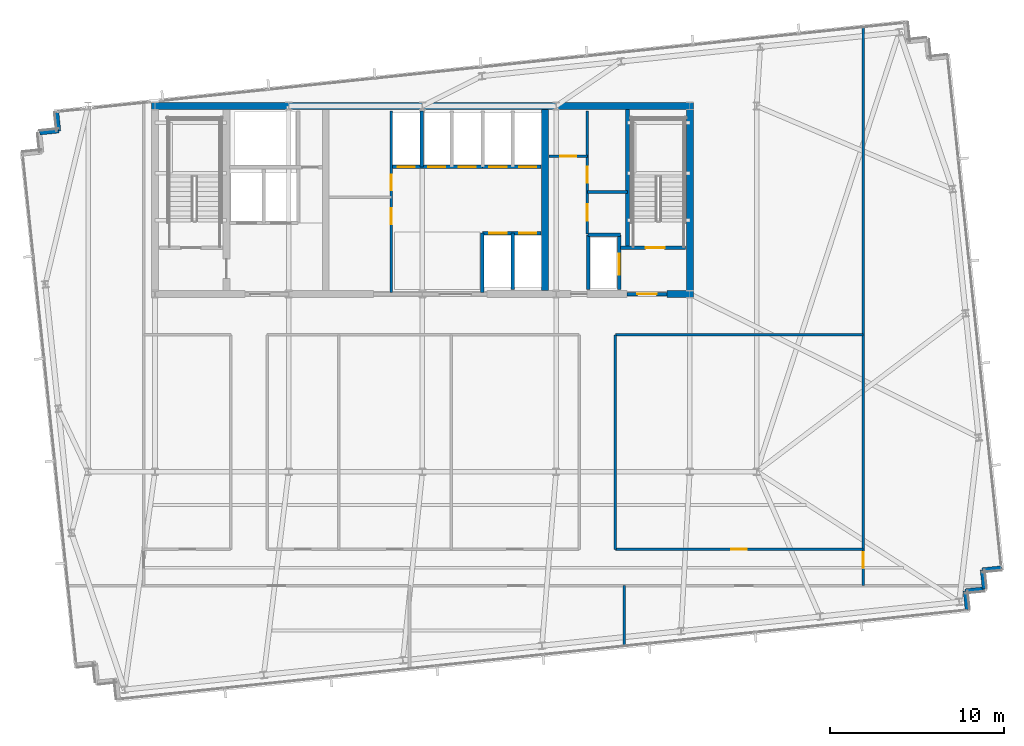
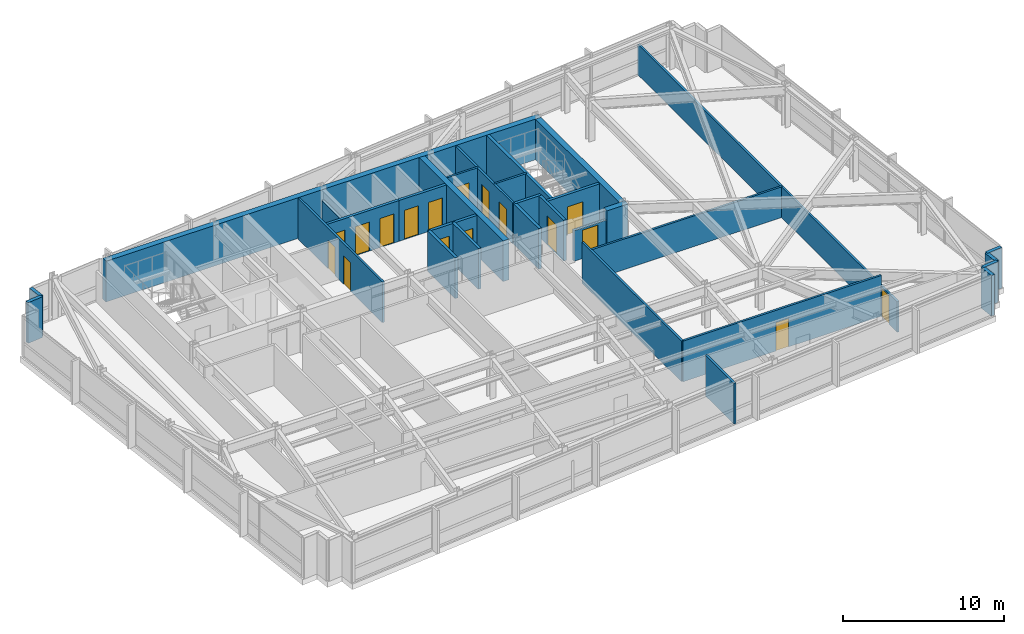
# One storey, part 21 of 26: 31 walls, 17 doors, 17 openings.
"""IFC4 building model written with IfcOpenShell, lengths in metres."""

from ifc_helpers import new_model, si_unit, direction, frame, frame_2d, origin, place, context, subcontext, project, spatial, rectangle, extrude, material, layer, layer_set, type_object, element, fill, save


model = new_model("IFC4")

# Units and contexts
model_context = context("Model", 3, precision=1e-05, world=origin(), true_north=direction((0.0, 1.0)))
body_context = subcontext(model_context, "Body", "Model", "MODEL_VIEW")
ifc_project = project(units=[si_unit("LENGTHUNIT", "METRE"), si_unit("AREAUNIT", "SQUARE_METRE"), si_unit("VOLUMEUNIT", "CUBIC_METRE"), si_unit("PLANEANGLEUNIT", "RADIAN"), si_unit("MASSUNIT", "GRAM", prefix="KILO")], contexts=[model_context])

# Site, building, storey
site_placement = place(None, origin())
site = spatial("IfcSite", under=ifc_project, at=site_placement, CompositionType="ELEMENT")
building_placement = place(site_placement, origin())
building = spatial("IfcBuilding", under=site, at=building_placement, Name="Yelkora Congress Tower", CompositionType="ELEMENT")
storey_placement = place(building_placement, frame((0.0, 0.0, 204.5)))
storey = spatial("IfcBuildingStorey", under=building, at=storey_placement, Name="L56", CompositionType="ELEMENT", Elevation=204.5)

# Walls
ifc_material_1 = material(Name="Concrete C50/60", Category="concrete")
ifc_layer_1 = layer(ifc_material_1, 0.219970703125)
ifc_layer_set_1 = layer_set([ifc_layer_1], Name="Concrete C50/60")
wall_type_1 = type_object("IfcWallType", Name="WALL-CORE-INT-220", PredefinedType="SHEAR", material=ifc_layer_set_1)
wall_1_placement = place(storey_placement, frame((50.179931640625, 38.050048828125, 0.0), z_axis=(0.0, 0.0, 1.0), x_axis=(0.0, 1.0, 0.0)))
element("IfcWall", 1, at=wall_1_placement, inside=storey, type_object=wall_type_1, Name="L56 ST02 West Stair Shear Wall", PredefinedType="SHEAR", context=body_context, shape_type="SweptSolid", body=[
    extrude(rectangle(XDim=7.949951171875, YDim=0.219970703125, at=frame_2d((3.97509765625, 0.0))), origin(), (0.0, 0.0, 1.0), 3.080078125),
])
ifc_layer_2 = layer(ifc_material_1, 0.39990234375)
ifc_layer_set_2 = layer_set([ifc_layer_2], Name="Concrete C50/60")
wall_type_2 = type_object("IfcWallType", Name="WALL-CORE-INT-400", PredefinedType="SHEAR", material=ifc_layer_set_2)
wall_2_placement = place(storey_placement, frame((22.840087890625, 46.199951171875, 0.0), z_axis=(0.0, 0.0, 1.0), x_axis=(1.0, 0.0, 0.0)))
element("IfcWall", 2, at=wall_2_placement, inside=storey, type_object=wall_type_2, Name="L56 Rear Core North Shear Wall", PredefinedType="SHEAR", context=body_context, shape_type="SweptSolid", body=[
    extrude(rectangle(XDim=31.119873046875, YDim=0.39990234375, at=frame_2d((15.56005859375, 0.0))), origin(), (0.0, 0.0, 1.0), 3.080078125),
])
wall_3_placement = place(storey_placement, frame((52.449951171875, 35.39990234375, 0.0), z_axis=(0.0, 0.0, 1.0), x_axis=(1.0, 0.0, 0.0)))
element("IfcWall", 3, at=wall_3_placement, inside=storey, type_object=wall_type_2, Name="L56 Rear Core South-East Shear Wall B", PredefinedType="SHEAR", context=body_context, shape_type="SweptSolid", body=[
    extrude(rectangle(XDim=1.510009765625, YDim=0.39990234375, at=frame_2d((0.7548828125, 0.0))), origin(), (0.0, 0.0, 1.0), 3.080078125),
])
for number, where, z_axis, x_axis, name in (
    (4, (45.449951171875, 35.60009765625, 0.0), (0.0, 0.0, 1.0), (0.0, 1.0, 0.0), "L56 Rear Core Cross Shear Wall C3"),
    (5, (53.760009765625, 35.60009765625, 0.0), (0.0, 0.0, 1.0), (0.0, 1.0, 0.0), "L56 Rear Core Cross Shear Wall E"),
):
    element("IfcWall", number, at=place(storey_placement, frame(where, z_axis=z_axis, x_axis=x_axis)), inside=storey, type_object=wall_type_2, Name=name, PredefinedType="SHEAR", context=body_context, shape_type="SweptSolid", body=[
        extrude(rectangle(XDim=10.39990234375, YDim=0.39990234375, at=frame_2d((5.199951171875, 0.0))), origin(), (0.0, 0.0, 1.0), 3.080078125),
    ])
ifc_material_2 = material(Name="Concrete C40/50", Category="concrete")
ifc_layer_3 = layer(ifc_material_2, 0.239990234375)
ifc_layer_set_3 = layer_set([ifc_layer_3], Name="Concrete C40/50")
wall_type_3 = type_object("IfcWallType", Name="WALL-EXT-LIMESTONE-240", PredefinedType="SOLIDWALL", material=ifc_layer_set_3)
wall_4_placement = place(storey_placement, frame((16.420166015625, 44.65380859375, 0.0), z_axis=(0.0, 0.0, 1.0), x_axis=(0.994541884982, 0.104338099541, 0.0)))
element("IfcWall", 6, at=wall_4_placement, inside=storey, type_object=wall_type_3, Name="L56 Serrated Corner Limestone Pier 8", PredefinedType="SOLIDWALL", context=body_context, shape_type="SweptSolid", body=[
    extrude(rectangle(XDim=1.099853515625, YDim=0.239990234375, at=frame_2d((0.5498046875, 0.0))), origin(), (0.0, 0.0, 1.0), 3.080078125),
])
for number, where, z_axis, x_axis, name in (
    (7, (17.513916015625, 44.7685546875, 0.0), (0.0, 0.0, 1.0), (-0.104534592565, 0.994521251134, 0.0), "L56 Serrated Corner Limestone Pier 9"),
    (8, (71.654052734375, 19.67041015625, 0.0), (0.0, 0.0, 1.0), (-0.994521251134, -0.104534592565, 0.0), "L56 Serrated Corner Limestone Pier 16"),
    (9, (70.56005859375, 19.555419921875, 0.0), (0.0, 0.0, 1.0), (0.104534592565, -0.994521251134, 0.0), "L56 Serrated Corner Limestone Pier 17"),
    (10, (70.675048828125, 18.46142578125, 0.0), (0.0, 0.0, 1.0), (-0.994521251134, -0.104534592565, 0.0), "L56 Serrated Corner Limestone Pier 18"),
    (11, (69.5810546875, 18.346435546875, 0.0), (0.0, 0.0, 1.0), (0.104534592565, -0.994521251134, 0.0), "L56 Serrated Corner Limestone Pier 19"),
):
    element("IfcWall", number, at=place(storey_placement, frame(where, z_axis=z_axis, x_axis=x_axis)), inside=storey, type_object=wall_type_3, Name=name, PredefinedType="SOLIDWALL", context=body_context, shape_type="SweptSolid", body=[
        extrude(rectangle(XDim=1.10009765625, YDim=0.239990234375, at=frame_2d((0.550048828125, 0.0))), origin(), (0.0, 0.0, 1.0), 3.080078125),
    ])

# Wall, opening, door
ifc_material_3 = material(Name="Acoustic metal-stud gypsum partition", Category="gypsum")
ifc_layer_4 = layer(ifc_material_3, 0.14990234375)
ifc_layer_set_4 = layer_set([ifc_layer_4], Name="Acoustic metal-stud gypsum partition")
wall_type_4 = type_object("IfcWallType", Name="WALL-INT-150-NR", PredefinedType="PARTITIONING", material=ifc_layer_set_4)
wall_5_placement = place(storey_placement, frame((45.679931640625, 43.31005859375, 0.0), z_axis=(0.0, 0.0, 1.0), x_axis=(1.0, 0.0, 0.0)))
wall_5 = element("IfcWall", 12, at=wall_5_placement, inside=storey, type_object=wall_type_4, Name="L56 Partition Wall 24", PredefinedType="PARTITIONING", context=body_context, shape_type="SweptSolid", body=[
    extrude(rectangle(XDim=2.199951171875, YDim=0.14990234375, at=frame_2d((1.10009765625, 0.0))), origin(), (0.0, 0.0, 1.0), 3.080078125),
])
opening_1_placement = place(wall_5_placement, frame((0.64990234375, 0.0, 0.0)))
opening_1 = element("IfcOpeningElement", 13, at=opening_1_placement, cuts=wall_5, Name="Opening DR-090N", PredefinedType="OPENING", context=body_context, shape_type="SweptSolid", body=[
    extrude(rectangle(XDim=0.89990234375, YDim=2.14990234375, at=frame_2d((0.449951171875, 1.074951171875))), frame((0.0, 0.0849609375, 0.0), z_axis=(0.0, -1.0, 0.0), x_axis=(1.0, 0.0, 0.0)), (0.0, 0.0, 1.0), 0.169921875),
])
ifc_material_4 = material(Name="Moisture-resistant laminate door leaf", Category="wood")
door_type_1 = type_object("IfcDoorType", Name="DOOR-INT-900", OperationType="NOTDEFINED", PredefinedType="DOOR", material=ifc_material_4)
door_1_placement = place(opening_1_placement, origin())
door_1 = element("IfcDoor", 14, at=door_1_placement, inside=storey, type_object=door_type_1, Name="L56 Male WC Door", OperationType="SINGLE_SWING_LEFT", OverallHeight=2.14990234375, OverallWidth=0.89990234375, PredefinedType="DOOR", context=body_context, shape_type="SweptSolid", body=[
    extrude(rectangle(XDim=0.89990234375, YDim=2.14990234375, at=frame_2d((0.449951171875, 1.074951171875))), frame((0.0, 0.02490234375, 0.0), z_axis=(0.0, -1.0, 0.0), x_axis=(1.0, 0.0, 0.0)), (0.0, 0.0, 1.0), 0.050048828125),
])
fill(opening_1, door_1)

# Wall
wall_6_placement = place(storey_placement, frame((47.8798828125, 41.260009765625, 0.0), z_axis=(0.0, 0.0, 1.0), x_axis=(1.0, 0.0, 0.0)))
element("IfcWall", 15, at=wall_6_placement, inside=storey, type_object=wall_type_4, Name="L56 Partition Wall 25", PredefinedType="PARTITIONING", context=body_context, shape_type="SweptSolid", body=[
    extrude(rectangle(XDim=2.300048828125, YDim=0.14990234375, at=frame_2d((1.14990234375, 0.0))), origin(), (0.0, 0.0, 1.0), 3.080078125),
])

# Wall, openings, doors
wall_7_placement = place(storey_placement, frame((47.8798828125, 38.85009765625, 0.0), z_axis=(0.0, 0.0, 1.0), x_axis=(0.0, 1.0, 0.0)))
wall_7 = element("IfcWall", 16, at=wall_7_placement, inside=storey, type_object=wall_type_4, Name="L56 Partition Wall 26", PredefinedType="PARTITIONING", context=body_context, shape_type="SweptSolid", body=[
    extrude(rectangle(XDim=7.06982421875, YDim=0.14990234375, at=frame_2d((3.534912109375, 0.0))), origin(), (0.0, 0.0, 1.0), 3.080078125),
])
opening_2_placement = place(wall_7_placement, frame((0.75, 0.0, 0.0)))
opening_2 = element("IfcOpeningElement", 17, at=opening_2_placement, cuts=wall_7, Name="Opening DR-095N", PredefinedType="OPENING", context=body_context, shape_type="SweptSolid", body=[
    extrude(rectangle(XDim=0.949951171875, YDim=2.14990234375, at=frame_2d((0.47509765625, 1.074951171875))), frame((0.0, 0.0849609375, 0.0), z_axis=(0.0, -1.0, 0.0), x_axis=(1.0, 0.0, 0.0)), (0.0, 0.0, 1.0), 0.169921875),
])
opening_3_placement = place(wall_7_placement, frame((2.949951171875, 0.0, 0.0)))
opening_3 = element("IfcOpeningElement", 18, at=opening_3_placement, cuts=wall_7, Name="Opening DR-090N", PredefinedType="OPENING", context=body_context, shape_type="SweptSolid", body=[
    extrude(rectangle(XDim=0.89990234375, YDim=2.14990234375, at=frame_2d((0.449951171875, 1.074951171875))), frame((0.0, 0.0849609375, 0.0), z_axis=(0.0, -1.0, 0.0), x_axis=(1.0, 0.0, 0.0)), (0.0, 0.0, 1.0), 0.169921875),
])
door_2_placement = place(opening_3_placement, origin())
door_2 = element("IfcDoor", 19, at=door_2_placement, inside=storey, type_object=door_type_1, Name="L56 Female WC Door", OperationType="SINGLE_SWING_LEFT", OverallHeight=2.14990234375, OverallWidth=0.89990234375, PredefinedType="DOOR", context=body_context, shape_type="SweptSolid", body=[
    extrude(rectangle(XDim=0.89990234375, YDim=2.14990234375, at=frame_2d((0.449951171875, 1.074951171875))), frame((0.0, 0.02490234375, 0.0), z_axis=(0.0, -1.0, 0.0), x_axis=(1.0, 0.0, 0.0)), (0.0, 0.0, 1.0), 0.050048828125),
])
fill(opening_3, door_2)
ifc_material_5 = material(Name="Acoustic laminated timber office door", Category="wood")
door_type_2 = type_object("IfcDoorType", Name="DOOR-INT-950", OperationType="NOTDEFINED", PredefinedType="DOOR", material=ifc_material_5)
door_3_placement = place(opening_2_placement, origin())
door_3 = element("IfcDoor", 20, at=door_3_placement, inside=storey, type_object=door_type_2, Name="L56 Accessible WC Door", OperationType="SINGLE_SWING_RIGHT", OverallHeight=2.14990234375, OverallWidth=0.949951171875, PredefinedType="DOOR", context=body_context, shape_type="SweptSolid", body=[
    extrude(rectangle(XDim=0.949951171875, YDim=2.14990234375, at=frame_2d((0.47509765625, 1.074951171875))), frame((0.0, 0.02490234375, 0.0), z_axis=(0.0, -1.0, 0.0), x_axis=(1.0, 0.0, 0.0)), (0.0, 0.0, 1.0), 0.050048828125),
])
fill(opening_2, door_3)

# Wall
wall_8_placement = place(storey_placement, frame((50.006103515625, 15.12255859375, 0.0), z_axis=(0.0, 0.0, 1.0), x_axis=(0.0, 1.0, 0.0)))
element("IfcWall", 21, at=wall_8_placement, inside=storey, type_object=wall_type_4, Name="L56 Partition Wall 28", PredefinedType="PARTITIONING", context=body_context, shape_type="SweptSolid", body=[
    extrude(rectangle(XDim=3.54736328125, YDim=0.14990234375, at=frame_2d((1.773681640625, 0.0))), origin(), (0.0, 0.0, 1.0), 3.080078125),
])

# Wall, opening, door
wall_9_placement = place(storey_placement, frame((63.719970703125, 18.64990234375, 0.0), z_axis=(0.0, 0.0, 1.0), x_axis=(0.0, 1.0, 0.0)))
wall_9 = element("IfcWall", 22, at=wall_9_placement, inside=storey, type_object=wall_type_4, Name="L56 Partition Wall 31", PredefinedType="PARTITIONING", context=body_context, shape_type="SweptSolid", body=[
    extrude(rectangle(XDim=32.1416015625, YDim=0.14990234375, at=frame_2d((16.07080078125, 0.0))), origin(), (0.0, 0.0, 1.0), 2.31298828125),
])
opening_4_placement = place(wall_9_placement, frame((1.030029296875, 0.0, 0.0)))
opening_4 = element("IfcOpeningElement", 23, at=opening_4_placement, cuts=wall_9, Name="Opening DR-090N", PredefinedType="OPENING", context=body_context, shape_type="SweptSolid", body=[
    extrude(rectangle(XDim=0.89990234375, YDim=2.14990234375, at=frame_2d((0.449951171875, 1.074951171875))), frame((0.0, 0.0849609375, 0.0), z_axis=(0.0, -1.0, 0.0), x_axis=(1.0, 0.0, 0.0)), (0.0, 0.0, 1.0), 0.169921875),
])
door_4_placement = place(opening_4_placement, origin())
door_4 = element("IfcDoor", 24, at=door_4_placement, inside=storey, type_object=door_type_1, Name="L56 E Wing Door", OperationType="SINGLE_SWING_RIGHT", OverallHeight=2.14990234375, OverallWidth=0.89990234375, PredefinedType="DOOR", context=body_context, shape_type="SweptSolid", body=[
    extrude(rectangle(XDim=0.89990234375, YDim=2.14990234375, at=frame_2d((0.449951171875, 1.074951171875))), frame((0.0, 0.02490234375, 0.0), z_axis=(0.0, -1.0, 0.0), x_axis=(1.0, 0.0, 0.0)), (0.0, 0.0, 1.0), 0.050048828125),
])
fill(opening_4, door_4)

# Walls
wall_10_placement = place(storey_placement, frame((49.47998046875, 20.72998046875, 0.0), z_axis=(0.0, 0.0, 1.0), x_axis=(0.0, 1.0, 0.0)))
element("IfcWall", 25, at=wall_10_placement, inside=storey, type_object=wall_type_4, Name="L56 Partition Wall 35", PredefinedType="PARTITIONING", context=body_context, shape_type="SweptSolid", body=[
    extrude(rectangle(XDim=12.320068359375, YDim=0.14990234375, at=frame_2d((6.16015625, 0.0))), origin(), (0.0, 0.0, 1.0), 3.080078125),
])
wall_11_placement = place(storey_placement, frame((49.47998046875, 33.050048828125, 0.0), z_axis=(0.0, 0.0, 1.0), x_axis=(1.0, 0.0, 0.0)))
element("IfcWall", 26, at=wall_11_placement, inside=storey, type_object=wall_type_4, Name="L56 Partition Wall 38", PredefinedType="PARTITIONING", context=body_context, shape_type="SweptSolid", body=[
    extrude(rectangle(XDim=14.239990234375, YDim=0.14990234375, at=frame_2d((7.1201171875, 0.0))), origin(), (0.0, 0.0, 1.0), 2.31298828125),
])

# Wall, opening, door
wall_12_placement = place(storey_placement, frame((49.489990234375, 20.72998046875, 0.0), z_axis=(0.0, 0.0, 1.0), x_axis=(1.0, 0.0, 0.0)))
wall_12 = element("IfcWall", 27, at=wall_12_placement, inside=storey, type_object=wall_type_4, Name="L56 Partition Wall 43", PredefinedType="PARTITIONING", context=body_context, shape_type="SweptSolid", body=[
    extrude(rectangle(XDim=14.2099609375, YDim=0.14990234375, at=frame_2d((7.10498046875, 0.0))), origin(), (0.0, 0.0, 1.0), 3.080078125),
])
opening_5_placement = place(wall_12_placement, frame((6.655029296875, 0.0, 0.0)))
opening_5 = element("IfcOpeningElement", 28, at=opening_5_placement, cuts=wall_12, Name="Opening DR-090N", PredefinedType="OPENING", context=body_context, shape_type="SweptSolid", body=[
    extrude(rectangle(XDim=0.89990234375, YDim=2.14990234375, at=frame_2d((0.449951171875, 1.074951171875))), frame((0.0, 0.0849609375, 0.0), z_axis=(0.0, -1.0, 0.0), x_axis=(1.0, 0.0, 0.0)), (0.0, 0.0, 1.0), 0.169921875),
])
door_5_placement = place(opening_5_placement, origin())
door_5 = element("IfcDoor", 29, at=door_5_placement, inside=storey, type_object=door_type_1, Name="L56 Refreshment Galley Door", OperationType="SINGLE_SWING_LEFT", OverallHeight=2.14990234375, OverallWidth=0.89990234375, PredefinedType="DOOR", context=body_context, shape_type="SweptSolid", body=[
    extrude(rectangle(XDim=0.89990234375, YDim=2.14990234375, at=frame_2d((0.449951171875, 1.074951171875))), frame((0.0, 0.02490234375, 0.0), z_axis=(0.0, -1.0, 0.0), x_axis=(1.0, 0.0, 0.0)), (0.0, 0.0, 1.0), 0.050048828125),
])
fill(opening_5, door_5)

# Wall, openings, doors
ifc_material_6 = material(Name="Twin-stud fire-rated gypsum partition", Category="gypsum")
ifc_layer_5 = layer(ifc_material_6, 0.14990234375)
ifc_layer_set_5 = layer_set([ifc_layer_5], Name="Twin-stud fire-rated gypsum partition")
wall_type_5 = type_object("IfcWallType", Name="WALL-INT-150-R60", PredefinedType="PARTITIONING", material=ifc_layer_set_5)
wall_13_placement = place(storey_placement, frame((36.6201171875, 35.5, 0.0), z_axis=(0.0, 0.0, 1.0), x_axis=(0.0, 1.0, 0.0)))
wall_13 = element("IfcWall", 30, at=wall_13_placement, inside=storey, type_object=wall_type_5, Name="L56 Partition Wall 12", PredefinedType="PARTITIONING", context=body_context, shape_type="SweptSolid", body=[
    extrude(rectangle(XDim=10.419921875, YDim=0.14990234375, at=frame_2d((5.2099609375, 0.0))), origin(), (0.0, 0.0, 1.0), 3.080078125),
])
opening_6_placement = place(wall_13_placement, frame((3.919921875, 0.0, 0.0)))
opening_6 = element("IfcOpeningElement", 31, at=opening_6_placement, cuts=wall_13, Name="Opening DR-090F6", PredefinedType="OPENING", context=body_context, shape_type="SweptSolid", body=[
    extrude(rectangle(XDim=0.89990234375, YDim=2.14990234375, at=frame_2d((0.449951171875, 1.074951171875))), frame((0.0, 0.0849609375, 0.0), z_axis=(0.0, -1.0, 0.0), x_axis=(1.0, 0.0, 0.0)), (0.0, 0.0, 1.0), 0.169921875),
])
opening_7_placement = place(wall_13_placement, frame((5.85009765625, 0.0, 0.0)))
opening_7 = element("IfcOpeningElement", 32, at=opening_7_placement, cuts=wall_13, Name="Opening DR-090F6", PredefinedType="OPENING", context=body_context, shape_type="SweptSolid", body=[
    extrude(rectangle(XDim=0.89990234375, YDim=2.14990234375, at=frame_2d((0.449951171875, 1.074951171875))), frame((0.0, 0.0849609375, 0.0), z_axis=(0.0, -1.0, 0.0), x_axis=(1.0, 0.0, 0.0)), (0.0, 0.0, 1.0), 0.169921875),
])
ifc_material_7 = material(Name="Painted steel riser fire door leaf", Category="steel")
door_type_3 = type_object("IfcDoorType", Name="DOOR-FD60-900", OperationType="NOTDEFINED", PredefinedType="DOOR", material=ifc_material_7)
door_6_placement = place(opening_6_placement, origin())
door_6 = element("IfcDoor", 33, at=door_6_placement, inside=storey, type_object=door_type_3, Name="L56 Telecom Store Door", OperationType="SINGLE_SWING_RIGHT", OverallHeight=2.14990234375, OverallWidth=0.89990234375, PredefinedType="DOOR", context=body_context, shape_type="SweptSolid", body=[
    extrude(rectangle(XDim=0.89990234375, YDim=2.14990234375, at=frame_2d((0.449951171875, 1.074951171875))), frame((0.0, 0.02490234375, 0.0), z_axis=(0.0, -1.0, 0.0), x_axis=(1.0, 0.0, 0.0)), (0.0, 0.0, 1.0), 0.050048828125),
])
fill(opening_6, door_6)
door_7_placement = place(opening_7_placement, origin())
door_7 = element("IfcDoor", 34, at=door_7_placement, inside=storey, type_object=door_type_3, Name="L56 Archive Store Door", OperationType="SINGLE_SWING_LEFT", OverallHeight=2.14990234375, OverallWidth=0.89990234375, PredefinedType="DOOR", context=body_context, shape_type="SweptSolid", body=[
    extrude(rectangle(XDim=0.89990234375, YDim=2.14990234375, at=frame_2d((0.449951171875, 1.074951171875))), frame((0.0, 0.02490234375, 0.0), z_axis=(0.0, -1.0, 0.0), x_axis=(1.0, 0.0, 0.0)), (0.0, 0.0, 1.0), 0.050048828125),
])
fill(opening_7, door_7)

ifc_material_8 = material(Name="Autoclaved aerated concrete blockwork", Category="masonry")
ifc_layer_6 = layer(ifc_material_8, 0.199951171875)
ifc_layer_set_6 = layer_set([ifc_layer_6], Name="Autoclaved aerated concrete blockwork")
wall_type_6 = type_object("IfcWallType", Name="WALL-INT-200-R120", PredefinedType="PARTITIONING", material=ifc_layer_set_6)
wall_14_placement = place(storey_placement, frame((36.60009765625, 42.699951171875, 0.0), z_axis=(0.0, 0.0, 1.0), x_axis=(1.0, 0.0, 0.0)))
wall_14 = element("IfcWall", 35, at=wall_14_placement, inside=storey, type_object=wall_type_6, Name="L56 Partition Wall 8", PredefinedType="PARTITIONING", context=body_context, shape_type="SweptSolid", body=[
    extrude(rectangle(XDim=5.25, YDim=0.199951171875, at=frame_2d((2.625, 0.0))), origin(), (0.0, 0.0, 1.0), 3.080078125),
])
opening_8_placement = place(wall_14_placement, frame((0.375, 0.0, 0.0)))
opening_8 = element("IfcOpeningElement", 36, at=opening_8_placement, cuts=wall_14, Name="Opening LD-PS10", PredefinedType="OPENING", context=body_context, shape_type="SweptSolid", body=[
    extrude(rectangle(XDim=1.0, YDim=2.199951171875, at=frame_2d((0.5, 1.10009765625))), frame((0.0, 0.10986328125, 0.0), z_axis=(0.0, -1.0, 0.0), x_axis=(1.0, 0.0, 0.0)), (0.0, 0.0, 1.0), 0.219970703125),
])
opening_9_placement = place(wall_14_placement, frame((2.125, 0.0, 0.0)))
opening_9 = element("IfcOpeningElement", 37, at=opening_9_placement, cuts=wall_14, Name="Opening LD-PS10", PredefinedType="OPENING", context=body_context, shape_type="SweptSolid", body=[
    extrude(rectangle(XDim=1.0, YDim=2.199951171875, at=frame_2d((0.5, 1.10009765625))), frame((0.0, 0.10986328125, 0.0), z_axis=(0.0, -1.0, 0.0), x_axis=(1.0, 0.0, 0.0)), (0.0, 0.0, 1.0), 0.219970703125),
])
opening_10_placement = place(wall_14_placement, frame((3.875, 0.0, 0.0)))
opening_10 = element("IfcOpeningElement", 38, at=opening_10_placement, cuts=wall_14, Name="Opening LD-PS10", PredefinedType="OPENING", context=body_context, shape_type="SweptSolid", body=[
    extrude(rectangle(XDim=1.0, YDim=2.199951171875, at=frame_2d((0.5, 1.10009765625))), frame((0.0, 0.10986328125, 0.0), z_axis=(0.0, -1.0, 0.0), x_axis=(1.0, 0.0, 0.0)), (0.0, 0.0, 1.0), 0.219970703125),
])
ifc_material_9 = material(Name="Champagne stainless steel landing door", Category="steel")
door_type_4 = type_object("IfcDoorType", Name="DOOR-LIFT-PAS-1000", OperationType="DOUBLE_DOOR_SLIDING", PredefinedType="DOOR", material=ifc_material_9)
door_8_placement = place(opening_8_placement, origin())
door_8 = element("IfcDoor", 39, at=door_8_placement, inside=storey, type_object=door_type_4, Name="Lift Landing Door LF-P9 L56", OperationType="DOUBLE_DOOR_SLIDING", OverallHeight=2.199951171875, OverallWidth=1.0, PredefinedType="DOOR", context=body_context, shape_type="SweptSolid", body=[
    extrude(rectangle(XDim=1.0, YDim=2.199951171875, at=frame_2d((0.5, 1.10009765625))), frame((0.0, 0.02490234375, 0.0), z_axis=(0.0, -1.0, 0.0), x_axis=(1.0, 0.0, 0.0)), (0.0, 0.0, 1.0), 0.050048828125),
])
fill(opening_8, door_8)
door_9_placement = place(opening_9_placement, origin())
door_9 = element("IfcDoor", 40, at=door_9_placement, inside=storey, type_object=door_type_4, Name="Lift Landing Door LF-P10 L56", OperationType="DOUBLE_DOOR_SLIDING", OverallHeight=2.199951171875, OverallWidth=1.0, PredefinedType="DOOR", context=body_context, shape_type="SweptSolid", body=[
    extrude(rectangle(XDim=1.0, YDim=2.199951171875, at=frame_2d((0.5, 1.10009765625))), frame((0.0, 0.02490234375, 0.0), z_axis=(0.0, -1.0, 0.0), x_axis=(1.0, 0.0, 0.0)), (0.0, 0.0, 1.0), 0.050048828125),
])
fill(opening_9, door_9)
door_10_placement = place(opening_10_placement, origin())
door_10 = element("IfcDoor", 41, at=door_10_placement, inside=storey, type_object=door_type_4, Name="Lift Landing Door LF-P11 L56", OperationType="DOUBLE_DOOR_SLIDING", OverallHeight=2.199951171875, OverallWidth=1.0, PredefinedType="DOOR", context=body_context, shape_type="SweptSolid", body=[
    extrude(rectangle(XDim=1.0, YDim=2.199951171875, at=frame_2d((0.5, 1.10009765625))), frame((0.0, 0.02490234375, 0.0), z_axis=(0.0, -1.0, 0.0), x_axis=(1.0, 0.0, 0.0)), (0.0, 0.0, 1.0), 0.050048828125),
])
fill(opening_10, door_10)

# Wall
wall_15_placement = place(storey_placement, frame((38.35009765625, 42.699951171875, 0.0), z_axis=(0.0, 0.0, 1.0), x_axis=(0.0, 1.0, 0.0)))
element("IfcWall", 42, at=wall_15_placement, inside=storey, type_object=wall_type_6, Name="L56 Partition Wall 9", PredefinedType="PARTITIONING", context=body_context, shape_type="SweptSolid", body=[
    extrude(rectangle(XDim=3.219970703125, YDim=0.199951171875, at=frame_2d((1.60986328125, 0.0))), origin(), (0.0, 0.0, 1.0), 2.31298828125),
])

# Wall, openings, doors
wall_16_placement = place(storey_placement, frame((41.85009765625, 38.89990234375, 0.0), z_axis=(0.0, 0.0, 1.0), x_axis=(1.0, 0.0, 0.0)))
wall_16 = element("IfcWall", 43, at=wall_16_placement, inside=storey, type_object=wall_type_6, Name="L56 Partition Wall 13", PredefinedType="PARTITIONING", context=body_context, shape_type="SweptSolid", body=[
    extrude(rectangle(XDim=3.369873046875, YDim=0.199951171875, at=frame_2d((1.68505859375, 0.0))), origin(), (0.0, 0.0, 1.0), 3.080078125),
])
opening_11_placement = place(wall_16_placement, frame((0.39990234375, 0.0, 0.0)))
opening_11 = element("IfcOpeningElement", 44, at=opening_11_placement, cuts=wall_16, Name="Opening LD-PS10", PredefinedType="OPENING", context=body_context, shape_type="SweptSolid", body=[
    extrude(rectangle(XDim=1.0, YDim=2.199951171875, at=frame_2d((0.5, 1.10009765625))), frame((0.0, 0.10986328125, 0.0), z_axis=(0.0, -1.0, 0.0), x_axis=(1.0, 0.0, 0.0)), (0.0, 0.0, 1.0), 0.219970703125),
])
opening_12_placement = place(wall_16_placement, frame((2.10009765625, 0.0, 0.0)))
opening_12 = element("IfcOpeningElement", 45, at=opening_12_placement, cuts=wall_16, Name="Opening LD-PS10", PredefinedType="OPENING", context=body_context, shape_type="SweptSolid", body=[
    extrude(rectangle(XDim=1.0, YDim=2.199951171875, at=frame_2d((0.5, 1.10009765625))), frame((0.0, 0.10986328125, 0.0), z_axis=(0.0, -1.0, 0.0), x_axis=(1.0, 0.0, 0.0)), (0.0, 0.0, 1.0), 0.219970703125),
])
door_11_placement = place(opening_11_placement, origin())
door_11 = element("IfcDoor", 46, at=door_11_placement, inside=storey, type_object=door_type_4, Name="Lift Landing Door LF-P5 L56", OperationType="DOUBLE_DOOR_SLIDING", OverallHeight=2.199951171875, OverallWidth=1.0, PredefinedType="DOOR", context=body_context, shape_type="SweptSolid", body=[
    extrude(rectangle(XDim=1.0, YDim=2.199951171875, at=frame_2d((0.5, 1.10009765625))), frame((0.0, 0.02490234375, 0.0), z_axis=(0.0, -1.0, 0.0), x_axis=(1.0, 0.0, 0.0)), (0.0, 0.0, 1.0), 0.050048828125),
])
fill(opening_11, door_11)
door_12_placement = place(opening_12_placement, origin())
door_12 = element("IfcDoor", 47, at=door_12_placement, inside=storey, type_object=door_type_4, Name="Lift Landing Door LF-P6 L56", OperationType="DOUBLE_DOOR_SLIDING", OverallHeight=2.199951171875, OverallWidth=1.0, PredefinedType="DOOR", context=body_context, shape_type="SweptSolid", body=[
    extrude(rectangle(XDim=1.0, YDim=2.199951171875, at=frame_2d((0.5, 1.10009765625))), frame((0.0, 0.02490234375, 0.0), z_axis=(0.0, -1.0, 0.0), x_axis=(1.0, 0.0, 0.0)), (0.0, 0.0, 1.0), 0.050048828125),
])
fill(opening_12, door_12)

wall_17_placement = place(storey_placement, frame((41.85009765625, 42.699951171875, 0.0), z_axis=(0.0, 0.0, 1.0), x_axis=(1.0, 0.0, 0.0)))
wall_17 = element("IfcWall", 48, at=wall_17_placement, inside=storey, type_object=wall_type_6, Name="L56 Partition Wall 14", PredefinedType="PARTITIONING", context=body_context, shape_type="SweptSolid", body=[
    extrude(rectangle(XDim=3.369873046875, YDim=0.199951171875, at=frame_2d((1.68505859375, 0.0))), origin(), (0.0, 0.0, 1.0), 3.080078125),
])
opening_13_placement = place(wall_17_placement, frame((0.39990234375, 0.0, 0.0)))
opening_13 = element("IfcOpeningElement", 49, at=opening_13_placement, cuts=wall_17, Name="Opening LD-PS10", PredefinedType="OPENING", context=body_context, shape_type="SweptSolid", body=[
    extrude(rectangle(XDim=1.0, YDim=2.199951171875, at=frame_2d((0.5, 1.10009765625))), frame((0.0, 0.10986328125, 0.0), z_axis=(0.0, -1.0, 0.0), x_axis=(1.0, 0.0, 0.0)), (0.0, 0.0, 1.0), 0.219970703125),
])
opening_14_placement = place(wall_17_placement, frame((2.10009765625, 0.0, 0.0)))
opening_14 = element("IfcOpeningElement", 50, at=opening_14_placement, cuts=wall_17, Name="Opening LD-PS10", PredefinedType="OPENING", context=body_context, shape_type="SweptSolid", body=[
    extrude(rectangle(XDim=1.0, YDim=2.199951171875, at=frame_2d((0.5, 1.10009765625))), frame((0.0, 0.10986328125, 0.0), z_axis=(0.0, -1.0, 0.0), x_axis=(1.0, 0.0, 0.0)), (0.0, 0.0, 1.0), 0.219970703125),
])
door_13_placement = place(opening_13_placement, origin())
door_13 = element("IfcDoor", 51, at=door_13_placement, inside=storey, type_object=door_type_4, Name="Lift Landing Door LF-P7 L56", OperationType="DOUBLE_DOOR_SLIDING", OverallHeight=2.199951171875, OverallWidth=1.0, PredefinedType="DOOR", context=body_context, shape_type="SweptSolid", body=[
    extrude(rectangle(XDim=1.0, YDim=2.199951171875, at=frame_2d((0.5, 1.10009765625))), frame((0.0, 0.02490234375, 0.0), z_axis=(0.0, -1.0, 0.0), x_axis=(1.0, 0.0, 0.0)), (0.0, 0.0, 1.0), 0.050048828125),
])
fill(opening_13, door_13)
door_14_placement = place(opening_14_placement, origin())
door_14 = element("IfcDoor", 52, at=door_14_placement, inside=storey, type_object=door_type_4, Name="Lift Landing Door LF-P8 L56", OperationType="DOUBLE_DOOR_SLIDING", OverallHeight=2.199951171875, OverallWidth=1.0, PredefinedType="DOOR", context=body_context, shape_type="SweptSolid", body=[
    extrude(rectangle(XDim=1.0, YDim=2.199951171875, at=frame_2d((0.5, 1.10009765625))), frame((0.0, 0.02490234375, 0.0), z_axis=(0.0, -1.0, 0.0), x_axis=(1.0, 0.0, 0.0)), (0.0, 0.0, 1.0), 0.050048828125),
])
fill(opening_14, door_14)

# Walls
wall_18_placement = place(storey_placement, frame((43.60009765625, 35.64990234375, 0.0), z_axis=(0.0, 0.0, 1.0), x_axis=(0.0, 1.0, 0.0)))
element("IfcWall", 53, at=wall_18_placement, inside=storey, type_object=wall_type_6, Name="L56 Partition Wall 15", PredefinedType="PARTITIONING", context=body_context, shape_type="SweptSolid", body=[
    extrude(rectangle(XDim=3.25, YDim=0.199951171875, at=frame_2d((1.625, 0.0))), origin(), (0.0, 0.0, 1.0), 3.080078125),
])
wall_19_placement = place(storey_placement, frame((41.85009765625, 35.5, 0.0), z_axis=(0.0, 0.0, 1.0), x_axis=(0.0, 1.0, 0.0)))
element("IfcWall", 54, at=wall_19_placement, inside=storey, type_object=wall_type_6, Name="L56 Partition Wall 17", PredefinedType="PARTITIONING", context=body_context, shape_type="SweptSolid", body=[
    extrude(rectangle(XDim=3.39990234375, YDim=0.199951171875, at=frame_2d((1.699951171875, 0.0))), origin(), (0.0, 0.0, 1.0), 3.080078125),
])

# Wall, opening, door
wall_20_placement = place(storey_placement, frame((49.780029296875, 38.050048828125, 0.0), z_axis=(0.0, 0.0, 1.0), x_axis=(1.0, 0.0, 0.0)))
wall_20 = element("IfcWall", 55, at=wall_20_placement, inside=storey, type_object=wall_type_6, Name="L56 Stair ST-02 Enclosure Wall", PredefinedType="PARTITIONING", context=body_context, shape_type="SweptSolid", body=[
    extrude(rectangle(XDim=3.719970703125, YDim=0.199951171875, at=frame_2d((1.85986328125, 0.0))), origin(), (0.0, 0.0, 1.0), 3.080078125),
])
opening_15_placement = place(wall_20_placement, frame((1.436279296875, 0.0, 0.0)))
opening_15 = element("IfcOpeningElement", 56, at=opening_15_placement, cuts=wall_20, Name="Opening DR-110F9", PredefinedType="OPENING", context=body_context, shape_type="SweptSolid", body=[
    extrude(rectangle(XDim=1.10009765625, YDim=2.14990234375, at=frame_2d((0.550048828125, 1.074951171875))), frame((0.0, 0.10986328125, 0.0), z_axis=(0.0, -1.0, 0.0), x_axis=(1.0, 0.0, 0.0)), (0.0, 0.0, 1.0), 0.219970703125),
])
ifc_material_10 = material(Name="Galvanised steel fire door leaf", Category="steel")
door_type_5 = type_object("IfcDoorType", Name="DOOR-FD90-1100", OperationType="NOTDEFINED", PredefinedType="DOOR", material=ifc_material_10)
door_15_placement = place(opening_15_placement, origin())
door_15 = element("IfcDoor", 57, at=door_15_placement, inside=storey, type_object=door_type_5, Name="L56 Stair ST-02 Entry Door", OperationType="SINGLE_SWING_RIGHT", OverallHeight=2.14990234375, OverallWidth=1.10009765625, PredefinedType="DOOR", context=body_context, shape_type="SweptSolid", body=[
    extrude(rectangle(XDim=1.10009765625, YDim=2.14990234375, at=frame_2d((0.550048828125, 1.074951171875))), frame((0.0, 0.02490234375, 0.0), z_axis=(0.0, -1.0, 0.0), x_axis=(1.0, 0.0, 0.0)), (0.0, 0.0, 1.0), 0.050048828125),
])
fill(opening_15, door_15)

wall_21_placement = place(storey_placement, frame((50.14990234375, 35.39990234375, 0.0), z_axis=(0.0, 0.0, 1.0), x_axis=(1.0, 0.0, 0.0)))
wall_21 = element("IfcWall", 58, at=wall_21_placement, inside=storey, type_object=wall_type_6, Name="L56 Partition Wall 20", PredefinedType="PARTITIONING", context=body_context, shape_type="SweptSolid", body=[
    extrude(rectangle(XDim=2.300048828125, YDim=0.199951171875, at=frame_2d((1.14990234375, 0.0))), origin(), (0.0, 0.0, 1.0), 2.31298828125),
])
opening_16_placement = place(wall_21_placement, frame((0.60009765625, 0.0, 0.0)))
opening_16 = element("IfcOpeningElement", 59, at=opening_16_placement, cuts=wall_21, Name="Opening DR-110F9", PredefinedType="OPENING", context=body_context, shape_type="SweptSolid", body=[
    extrude(rectangle(XDim=1.10009765625, YDim=2.14990234375, at=frame_2d((0.550048828125, 1.074951171875))), frame((0.0, 0.10986328125, 0.0), z_axis=(0.0, -1.0, 0.0), x_axis=(1.0, 0.0, 0.0)), (0.0, 0.0, 1.0), 0.219970703125),
])
door_16_placement = place(opening_16_placement, origin())
door_16 = element("IfcDoor", 60, at=door_16_placement, inside=storey, type_object=door_type_5, Name="L56 East Stair Lobby Door", OperationType="SINGLE_SWING_LEFT", OverallHeight=2.14990234375, OverallWidth=1.10009765625, PredefinedType="DOOR", context=body_context, shape_type="SweptSolid", body=[
    extrude(rectangle(XDim=1.10009765625, YDim=2.14990234375, at=frame_2d((0.550048828125, 1.074951171875))), frame((0.0, 0.02490234375, 0.0), z_axis=(0.0, -1.0, 0.0), x_axis=(1.0, 0.0, 0.0)), (0.0, 0.0, 1.0), 0.050048828125),
])
fill(opening_16, door_16)

wall_22_placement = place(storey_placement, frame((49.699951171875, 35.64990234375, 0.0), z_axis=(0.0, 0.0, 1.0), x_axis=(0.0, 1.0, 0.0)))
wall_22 = element("IfcWall", 61, at=wall_22_placement, inside=storey, type_object=wall_type_6, Name="L56 Partition Wall 21", PredefinedType="PARTITIONING", context=body_context, shape_type="SweptSolid", body=[
    extrude(rectangle(XDim=3.150146484375, YDim=0.199951171875, at=frame_2d((1.5751953125, 0.0))), origin(), (0.0, 0.0, 1.0), 3.080078125),
])
opening_17_placement = place(wall_22_placement, frame((0.85009765625, 0.0, 0.0)))
opening_17 = element("IfcOpeningElement", 62, at=opening_17_placement, cuts=wall_22, Name="Opening LD-SV12", PredefinedType="OPENING", context=body_context, shape_type="SweptSolid", body=[
    extrude(rectangle(XDim=1.199951171875, YDim=2.199951171875, at=frame_2d((0.60009765625, 1.10009765625))), frame((0.0, 0.10986328125, 0.0), z_axis=(0.0, -1.0, 0.0), x_axis=(1.0, 0.0, 0.0)), (0.0, 0.0, 1.0), 0.219970703125),
])
ifc_material_11 = material(Name="Heavy-duty stainless steel landing door", Category="steel")
door_type_6 = type_object("IfcDoorType", Name="DOOR-LIFT-SRV-1200", OperationType="DOUBLE_DOOR_SLIDING", PredefinedType="DOOR", material=ifc_material_11)
door_17_placement = place(opening_17_placement, origin())
door_17 = element("IfcDoor", 63, at=door_17_placement, inside=storey, type_object=door_type_6, Name="Service Lift Landing Door LF-SV1 L56", OperationType="DOUBLE_DOOR_SLIDING", OverallHeight=2.199951171875, OverallWidth=1.199951171875, PredefinedType="DOOR", context=body_context, shape_type="SweptSolid", body=[
    extrude(rectangle(XDim=1.199951171875, YDim=2.199951171875, at=frame_2d((0.60009765625, 1.10009765625))), frame((0.0, 0.02490234375, 0.0), z_axis=(0.0, -1.0, 0.0), x_axis=(1.0, 0.0, 0.0)), (0.0, 0.0, 1.0), 0.050048828125),
])
fill(opening_17, door_17)

# Walls
wall_23_placement = place(storey_placement, frame((47.919921875, 35.64990234375, 0.0), z_axis=(0.0, 0.0, 1.0), x_axis=(0.0, 1.0, 0.0)))
element("IfcWall", 64, at=wall_23_placement, inside=storey, type_object=wall_type_6, Name="L56 Partition Wall 22", PredefinedType="PARTITIONING", context=body_context, shape_type="SweptSolid", body=[
    extrude(rectangle(XDim=3.150146484375, YDim=0.199951171875, at=frame_2d((1.5751953125, 0.0))), origin(), (0.0, 0.0, 1.0), 3.080078125),
])
wall_24_placement = place(storey_placement, frame((47.919921875, 38.800048828125, 0.0), z_axis=(0.0, 0.0, 1.0), x_axis=(1.0, 0.0, 0.0)))
element("IfcWall", 65, at=wall_24_placement, inside=storey, type_object=wall_type_6, Name="L56 Partition Wall 23", PredefinedType="PARTITIONING", context=body_context, shape_type="SweptSolid", body=[
    extrude(rectangle(XDim=1.860107421875, YDim=0.199951171875, at=frame_2d((0.93017578125, 0.0))), origin(), (0.0, 0.0, 1.0), 3.080078125),
])

save(model, "model.ifc")
